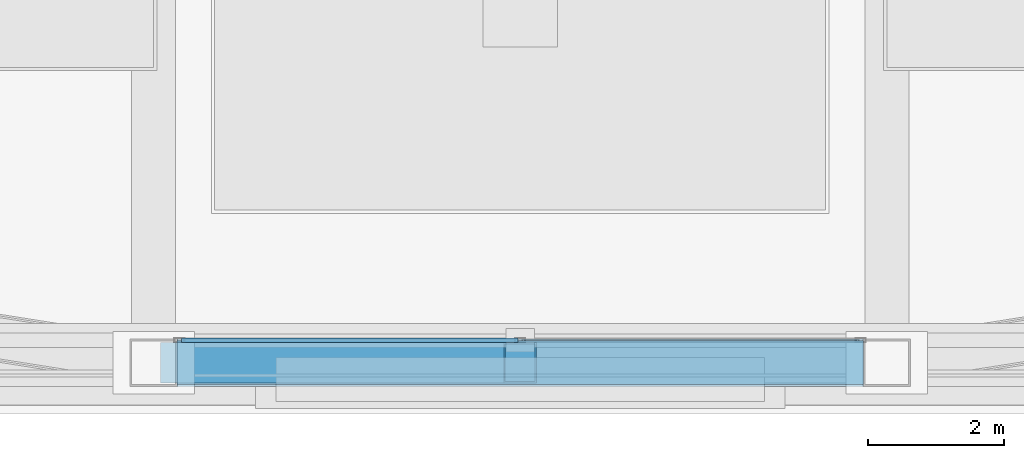
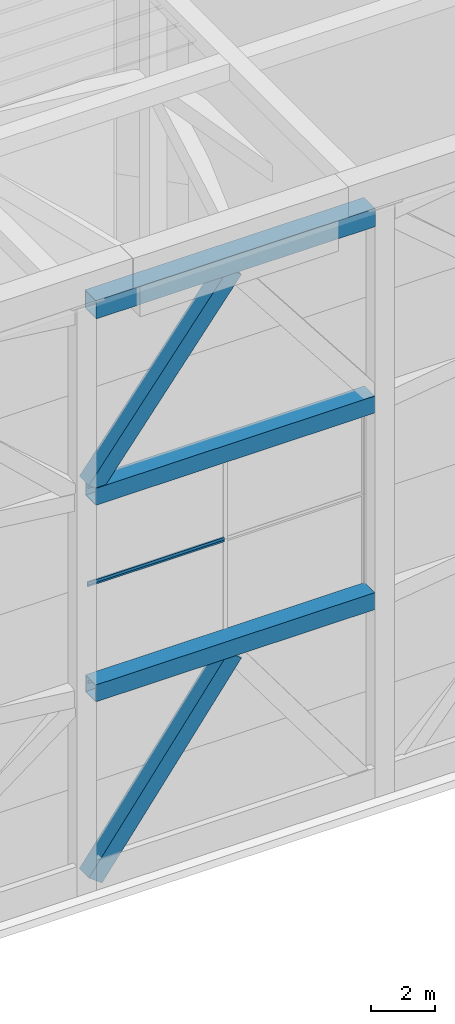
# One storey, part 3 of 28: 6 members, 3 beams, 2 elements without a shape of their own.
"""IFC4 building model written with IfcOpenShell, lengths in metres."""

from ifc_helpers import new_model, si_unit, direction, frame, origin, origin_2d, place, context, subcontext, project, spatial, hollow_rectangle, extrude, material, material_profile, profile_set, type_object, element, aggregate, save


model = new_model("IFC4")

# Units and contexts
model_context = context("Model", 3, precision=1e-05, world=origin(), true_north=direction((0.0, 1.0)))
body_context = subcontext(model_context, "Body", "Model", "MODEL_VIEW")
ifc_project = project(units=[si_unit("LENGTHUNIT", "METRE"), si_unit("AREAUNIT", "SQUARE_METRE"), si_unit("VOLUMEUNIT", "CUBIC_METRE"), si_unit("PLANEANGLEUNIT", "RADIAN"), si_unit("MASSUNIT", "GRAM", prefix="KILO")], contexts=[model_context])

# Site, building, storey
site_placement = place(None, origin())
site = spatial("IfcSite", under=ifc_project, at=site_placement, CompositionType="ELEMENT")
building_placement = place(site_placement, origin())
building = spatial("IfcBuilding", under=site, at=building_placement, Name="Tashvorn Skyway Center", CompositionType="ELEMENT")
storey_placement = place(building_placement, frame((0.0, 0.0, 277.60009765625)))
storey = spatial("IfcBuildingStorey", under=building, at=storey_placement, Name="Roof Level", CompositionType="ELEMENT", Elevation=277.60009765625)

# Beams
ifc_material_1 = material(Name="Steel ASTM A572 Grade 50", Category="steel")
ifc_material_profile_1 = material_profile(ifc_material_1, hollow_rectangle(XDim=0.64990234375, YDim=0.64990234375, WallThickness=0.02490234375, at=origin_2d()), Name="BOX650x650x25")
ifc_profile_set_1 = profile_set([ifc_material_profile_1], Name="Steel ASTM A572 Grade 50")
beam_type_1 = type_object("IfcBeamType", Name="BM-BEAM-BOX650x650x25", PredefinedType="BEAM", material=ifc_profile_set_1)
for number, where, z_axis, x_axis, name in (
    (1, (36.945068359375, 17.449951171875, 7.52978515625), (1.0, 0.0, 0.0), (0.0, 1.0, 0.0), "CROWN FRAME Tower 1 Lower-Tier Ring Beam 02"),
    (2, (36.945068359375, 17.449951171875, 15.059814453125), (1.0, 0.0, 0.0), (0.0, 1.0, 0.0), "CROWN FRAME Tower 1 Upper-Tier Ring Beam 02"),
):
    element("IfcBeam", number, at=place(storey_placement, frame(where, z_axis=z_axis, x_axis=x_axis)), inside=storey, type_object=beam_type_1, Name=name, PredefinedType="BEAM", context=body_context, shape_type="SweptSolid", body=[
        extrude(hollow_rectangle(XDim=0.64990234375, YDim=0.64990234375, WallThickness=0.02490234375, at=origin_2d()), origin(), (0.0, 0.0, 1.0), 10.10986328125),
    ])
ifc_material_profile_2 = material_profile(ifc_material_1, hollow_rectangle(XDim=0.699951171875, YDim=0.699951171875, WallThickness=0.028076171875, at=origin_2d()), Name="BOX700x700x28")
ifc_profile_set_2 = profile_set([ifc_material_profile_2], Name="Steel ASTM A572 Grade 50")
beam_type_2 = type_object("IfcBeamType", Name="BM-BEAM-BOX700x700x28", PredefinedType="BEAM", material=ifc_profile_set_2)
beam_placement = place(storey_placement, frame((36.945068359375, 17.449951171875, 22.239990234375), z_axis=(1.0, 0.0, 0.0), x_axis=(0.0, 1.0, 0.0)))
element("IfcBeam", 3, at=beam_placement, inside=storey, type_object=beam_type_2, Name="CROWN FRAME Tower 1 Top Cap Ring Beam 02", PredefinedType="BEAM", context=body_context, shape_type="SweptSolid", body=[
    extrude(hollow_rectangle(XDim=0.699951171875, YDim=0.699951171875, WallThickness=0.028076171875, at=origin_2d()), origin(), (0.0, 0.0, 1.0), 10.10986328125),
])

# Curtain wall, members
ifc_material_2 = material(Name="Thermally broken bronze-anodized aluminium 6063-T6", Category="aluminium")
curtain_wall_type = type_object("IfcCurtainWallType", Name="CW-CW-SKY", PredefinedType="NOTDEFINED", material=ifc_material_2)
curtain_wall_1_placement = place(storey_placement, origin())
curtain_wall_1 = element("IfcCurtainWall", 4, at=curtain_wall_1_placement, inside=storey, type_object=curtain_wall_type, Name="CROWN Lantern Fritted Curtain Wall T1 S-3", PredefinedType="NOTDEFINED")
ifc_material_profile_3 = material_profile(ifc_material_2, hollow_rectangle(XDim=0.06494140625, YDim=0.10498046875, WallThickness=0.00390625, at=origin_2d()), Name="ALU-TRAN-65x105")
ifc_profile_set_3 = profile_set([ifc_material_profile_3], Name="Thermally broken bronze-anodized aluminium 6063-T6")
member_type_1 = type_object("IfcMemberType", Name="CWT-CW-SKY", PredefinedType="USERDEFINED", material=ifc_profile_set_3)
member_1_placement = place(storey_placement, frame((41.967529296875, 17.780029296875, 7.5625), z_axis=(-1.0, 0.0, 0.0), x_axis=(0.0, -1.0, 0.0)))
member_1 = element("IfcMember", 5, at=member_1_placement, type_object=member_type_1, Name="CW-SKY transom 2.1", ObjectType="TRANSOM", PredefinedType="USERDEFINED", context=body_context, shape_type="SweptSolid", body=[
    extrude(hollow_rectangle(XDim=0.06494140625, YDim=0.10498046875, WallThickness=0.00390625, at=origin_2d()), origin(), (0.0, 0.0, 1.0), 4.95263671875),
])
member_2_placement = place(storey_placement, frame((41.967529296875, 17.780029296875, 11.262451171875), z_axis=(-1.0, 0.0, 0.0), x_axis=(0.0, -1.0, 0.0)))
member_2 = element("IfcMember", 6, at=member_2_placement, type_object=member_type_1, Name="CW-SKY transom 2.2", ObjectType="TRANSOM", PredefinedType="USERDEFINED", context=body_context, shape_type="SweptSolid", body=[
    extrude(hollow_rectangle(XDim=0.06494140625, YDim=0.10498046875, WallThickness=0.00390625, at=origin_2d()), origin(), (0.0, 0.0, 1.0), 4.95263671875),
])
aggregate(curtain_wall_1, [member_1, member_2])

curtain_wall_2_placement = place(storey_placement, origin())
curtain_wall_2 = element("IfcCurtainWall", 7, at=curtain_wall_2_placement, inside=storey, type_object=curtain_wall_type, Name="CROWN Lantern Fritted Curtain Wall T1 S-4", PredefinedType="NOTDEFINED")
member_3_placement = place(storey_placement, frame((41.967529296875, 17.780029296875, 11.327392578125), z_axis=(-1.0, 0.0, 0.0), x_axis=(0.0, -1.0, 0.0)))
member_3 = element("IfcMember", 8, at=member_3_placement, type_object=member_type_1, Name="CW-SKY transom 2.1", ObjectType="TRANSOM", PredefinedType="USERDEFINED", context=body_context, shape_type="SweptSolid", body=[
    extrude(hollow_rectangle(XDim=0.06494140625, YDim=0.10498046875, WallThickness=0.00390625, at=origin_2d()), origin(), (0.0, 0.0, 1.0), 4.95263671875),
])
member_4_placement = place(storey_placement, frame((41.967529296875, 17.780029296875, 15.02734375), z_axis=(-1.0, 0.0, 0.0), x_axis=(0.0, -1.0, 0.0)))
member_4 = element("IfcMember", 9, at=member_4_placement, type_object=member_type_1, Name="CW-SKY transom 2.2", ObjectType="TRANSOM", PredefinedType="USERDEFINED", context=body_context, shape_type="SweptSolid", body=[
    extrude(hollow_rectangle(XDim=0.06494140625, YDim=0.10498046875, WallThickness=0.00390625, at=origin_2d()), origin(), (0.0, 0.0, 1.0), 4.95263671875),
])
aggregate(curtain_wall_2, [member_3, member_4])

# Members
ifc_material_profile_4 = material_profile(ifc_material_1, hollow_rectangle(XDim=0.60009765625, YDim=0.60009765625, WallThickness=0.02490234375, at=origin_2d()), Name="BOX600x600x25")
ifc_profile_set_4 = profile_set([ifc_material_profile_4], Name="Steel ASTM A572 Grade 50")
member_type_2 = type_object("IfcMemberType", Name="MEM-CF-BRC-600", PredefinedType="BRACE", material=ifc_profile_set_4)
member_5_placement = place(storey_placement, frame((36.945068359375, 17.449951171875, 0.349853515625), z_axis=(0.593207833758, 0.0, 0.805049356231), x_axis=(0.0, 1.0, 0.0)))
element("IfcMember", 10, at=member_5_placement, inside=storey, type_object=member_type_2, Name="CROWN FRAME Tower 1 Tier-1 Chevron Brace 02A", PredefinedType="BRACE", context=body_context, shape_type="SweptSolid", body=[
    extrude(hollow_rectangle(XDim=0.60009765625, YDim=0.60009765625, WallThickness=0.02490234375, at=origin_2d()), origin(), (0.0, 0.0, 1.0), 8.521240234375),
])
member_6_placement = place(storey_placement, frame((36.945068359375, 17.449951171875, 15.3798828125), z_axis=(0.612716787586, 0.0, 0.790302561182), x_axis=(0.0, 1.0, 0.0)))
element("IfcMember", 11, at=member_6_placement, inside=storey, type_object=member_type_2, Name="CROWN FRAME Tower 1 Tier-3 Chevron Brace 02A", PredefinedType="BRACE", context=body_context, shape_type="SweptSolid", body=[
    extrude(hollow_rectangle(XDim=0.60009765625, YDim=0.60009765625, WallThickness=0.02490234375, at=origin_2d()), origin(), (0.0, 0.0, 1.0), 8.25),
])

save(model, "model.ifc")
